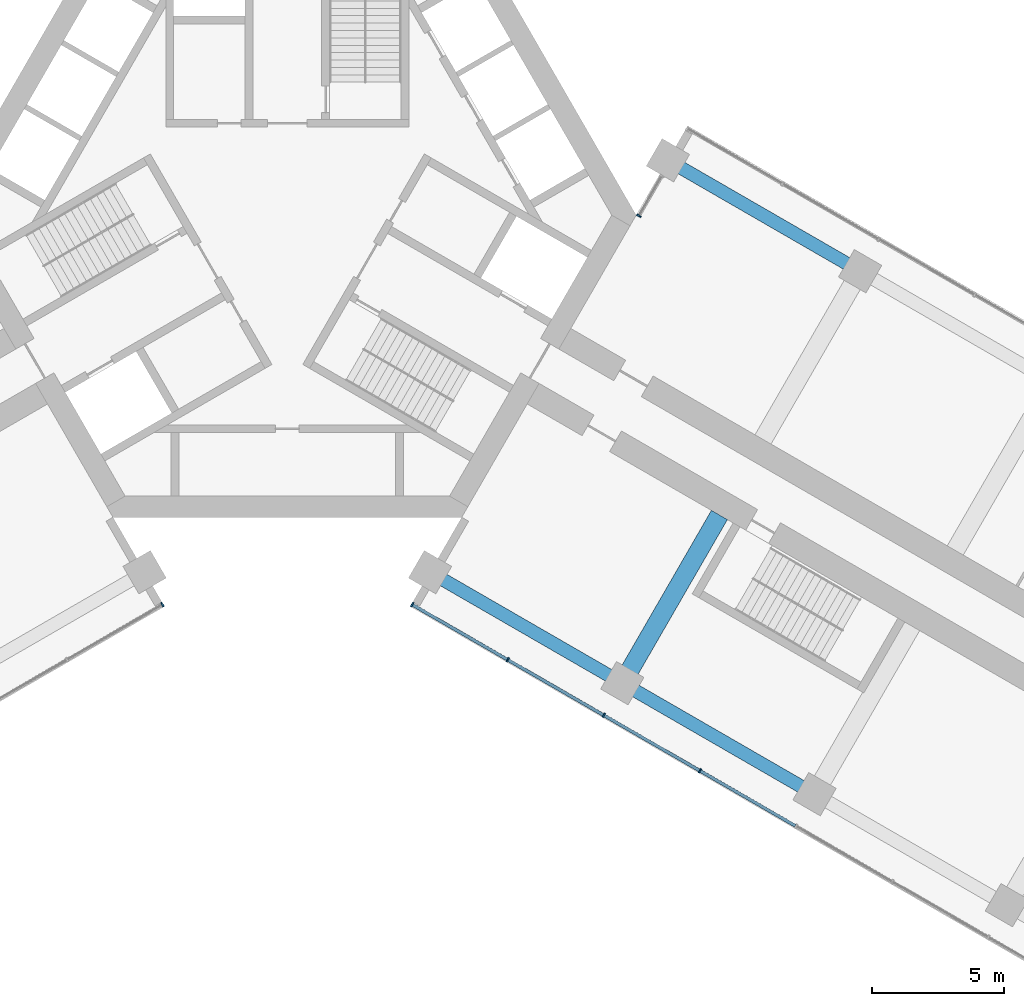
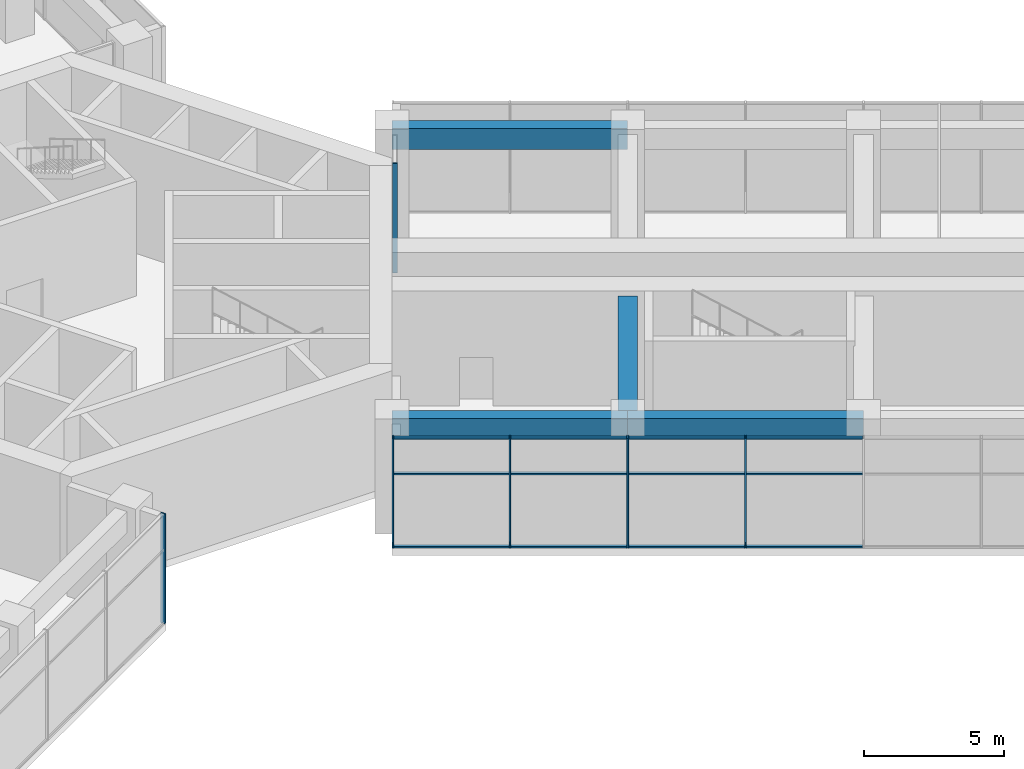
# One storey, part 5 of 20: 18 members, 4 beams, 3 elements without a shape of their own.
"""IFC4 building model written with IfcOpenShell, lengths in metres."""

from ifc_helpers import new_model, si_unit, direction, frame, origin, origin_2d, place, context, subcontext, project, spatial, rectangle, extrude, material, material_profile, profile_set, type_object, element, aggregate, save


model = new_model("IFC4")

# Units and contexts
model_context = context("Model", 3, precision=1e-05, world=origin(), true_north=direction((0.0, 1.0)))
body_context = subcontext(model_context, "Body", "Model", "MODEL_VIEW")
ifc_project = project(units=[si_unit("LENGTHUNIT", "METRE"), si_unit("AREAUNIT", "SQUARE_METRE"), si_unit("VOLUMEUNIT", "CUBIC_METRE"), si_unit("PLANEANGLEUNIT", "RADIAN"), si_unit("MASSUNIT", "GRAM", prefix="KILO")], contexts=[model_context])

# Site, building, storey
site_placement = place(None, origin())
site = spatial("IfcSite", under=ifc_project, at=site_placement, CompositionType="ELEMENT")
building_placement = place(site_placement, origin())
building = spatial("IfcBuilding", under=site, at=building_placement, Name="Impinga Residences", CompositionType="ELEMENT")
storey_placement = place(building_placement, frame((0.0, 0.0, 101.0)))
storey = spatial("IfcBuildingStorey", under=building, at=storey_placement, Name="L24", CompositionType="ELEMENT", Elevation=101.0)

# Beam
ifc_material_1 = material(Name="Concrete C60/75", Category="concrete")
ifc_material_profile_1 = material_profile(ifc_material_1, rectangle(XDim=0.699951171875, YDim=1.050048828125, at=origin_2d()), Name="RC 700x1050")
ifc_profile_set_1 = profile_set([ifc_material_profile_1], Name="Concrete C60/75")
beam_type_1 = type_object("IfcBeamType", Name="CG1 700x1050 cross girder on a wing bay line", PredefinedType="BEAM", material=ifc_profile_set_1)
beam_placement = place(storey_placement, frame((16.349609375, -11.3447265625, 4.2548828125), z_axis=(-0.500008066151, -0.86602074674, 0.0), x_axis=(0.86602074674, -0.500008066151, 0.0)))
element("IfcBeam", 1, at=beam_placement, inside=storey, type_object=beam_type_1, Name="Beam CG1 E2 EC/EF level L25", PredefinedType="BEAM", context=body_context, shape_type="SweptSolid", body=[
    extrude(rectangle(XDim=0.699951171875, YDim=1.050048828125, at=origin_2d()), origin(), (0.0, 0.0, 1.0), 7.35009765625),
])

# Curtain wall, member
ifc_material_2 = material(Name="Aluminium stick curtain wall", Category="aluminium")
curtain_wall_type = type_object("IfcCurtainWallType", Name="CW2 sky amenity curtain wall", PredefinedType="USERDEFINED", material=ifc_material_2)
curtain_wall_1_placement = place(storey_placement, origin())
curtain_wall_1 = element("IfcCurtainWall", 2, at=curtain_wall_1_placement, inside=storey, type_object=curtain_wall_type, Name="Curtain wall CW2 L24", ObjectType="STICK CURTAIN WALL", PredefinedType="USERDEFINED")
ifc_material_3 = material(Name="Aluminium mullion", Category="aluminium")
ifc_material_profile_2 = material_profile(ifc_material_3, rectangle(XDim=0.06005859375, YDim=0.179931640625, at=origin_2d()), Name="60x180 mullion")
ifc_profile_set_2 = profile_set([ifc_material_profile_2], Name="Aluminium mullion")
member_type_1 = type_object("IfcMemberType", Name="CW2-M mullion 60x180", PredefinedType="MULLION", material=ifc_profile_set_2)
member_1_placement = place(storey_placement, frame((13.301513671875, -0.02392578125, 0.0), z_axis=(0.0, 0.0, 1.0), x_axis=(0.499999915809, 0.866025452392, 0.0)))
member_1 = element("IfcMember", 3, at=member_1_placement, type_object=member_type_1, Name="CW2 mullion 1", PredefinedType="MULLION", context=body_context, shape_type="SweptSolid", body=[
    extrude(rectangle(XDim=0.06005859375, YDim=0.179931640625, at=origin_2d()), origin(), (0.0, 0.0, 1.0), 4.780029296875),
])
aggregate(curtain_wall_1, [member_1])

# Curtain wall, members
curtain_wall_2_placement = place(storey_placement, origin())
curtain_wall_2 = element("IfcCurtainWall", 4, at=curtain_wall_2_placement, inside=storey, type_object=curtain_wall_type, Name="Curtain wall CW2 L24", ObjectType="STICK CURTAIN WALL", PredefinedType="USERDEFINED")
member_2_placement = place(storey_placement, frame((15.61181640625, -21.0224609375, 0.0), z_axis=(0.0, 0.0, 1.0), x_axis=(-0.866025407005, 0.499999994423, 0.0)))
member_2 = element("IfcMember", 5, at=member_2_placement, type_object=member_type_1, Name="CW2 mullion 6", PredefinedType="MULLION", context=body_context, shape_type="SweptSolid", body=[
    extrude(rectangle(XDim=0.06005859375, YDim=0.179931640625, at=origin_2d()), origin(), (0.0, 0.0, 1.0), 4.780029296875),
])
member_3_placement = place(storey_placement, frame((11.974609375, -18.92236328125, 0.0), z_axis=(0.0, 0.0, 1.0), x_axis=(-0.866025407005, 0.499999994423, 0.0)))
member_3 = element("IfcMember", 6, at=member_3_placement, type_object=member_type_1, Name="CW2 mullion 7", PredefinedType="MULLION", context=body_context, shape_type="SweptSolid", body=[
    extrude(rectangle(XDim=0.06005859375, YDim=0.179931640625, at=origin_2d()), origin(), (0.0, 0.0, 1.0), 4.780029296875),
])
member_4_placement = place(storey_placement, frame((8.33740234375, -16.822509765625, 0.0), z_axis=(0.0, 0.0, 1.0), x_axis=(-0.866025407005, 0.499999994423, 0.0)))
member_4 = element("IfcMember", 7, at=member_4_placement, type_object=member_type_1, Name="CW2 mullion 8", PredefinedType="MULLION", context=body_context, shape_type="SweptSolid", body=[
    extrude(rectangle(XDim=0.06005859375, YDim=0.179931640625, at=origin_2d()), origin(), (0.0, 0.0, 1.0), 4.780029296875),
])
member_5_placement = place(storey_placement, frame((4.72607421875, -14.737548828125, 0.0), z_axis=(0.0, 0.0, 1.0), x_axis=(-0.866025407005, 0.499999994423, 0.0)))
member_5 = element("IfcMember", 8, at=member_5_placement, type_object=member_type_1, Name="CW2 mullion 9", PredefinedType="MULLION", context=body_context, shape_type="SweptSolid", body=[
    extrude(rectangle(XDim=0.06005859375, YDim=0.179931640625, at=origin_2d()), origin(), (0.0, 0.0, 1.0), 4.780029296875),
])

# Curtain wall, member
curtain_wall_3_placement = place(storey_placement, origin())
curtain_wall_3 = element("IfcCurtainWall", 9, at=curtain_wall_3_placement, inside=storey, type_object=curtain_wall_type, Name="Curtain wall CW2 L24", ObjectType="STICK CURTAIN WALL", PredefinedType="USERDEFINED")
member_6_placement = place(storey_placement, frame((-4.72607421875, -14.737548828125, 0.0), z_axis=(0.0, 0.0, 1.0), x_axis=(-0.866025407005, -0.499999994423, 0.0)))
member_6 = element("IfcMember", 10, at=member_6_placement, type_object=member_type_1, Name="CW2 mullion 1", PredefinedType="MULLION", context=body_context, shape_type="SweptSolid", body=[
    extrude(rectangle(XDim=0.06005859375, YDim=0.179931640625, at=origin_2d()), origin(), (0.0, 0.0, 1.0), 4.780029296875),
])
aggregate(curtain_wall_3, [member_6])

# Member
ifc_material_4 = material(Name="Aluminium transom", Category="aluminium")
ifc_material_profile_3 = material_profile(ifc_material_4, rectangle(XDim=0.06005859375, YDim=0.1201171875, at=origin_2d()), Name="60x120 transom")
ifc_profile_set_3 = profile_set([ifc_material_profile_3], Name="Aluminium transom")
member_type_2 = type_object("IfcMemberType", Name="CW2-T transom 60x120", PredefinedType="USERDEFINED", material=ifc_profile_set_3)
member_7_placement = place(storey_placement, frame((19.22314453125, -23.107421875, 0.030029296875), z_axis=(-0.866009793405, 0.500027036996, 0.0), x_axis=(0.0, 0.0, 1.0)))
member_7 = element("IfcMember", 11, at=member_7_placement, type_object=member_type_2, Name="CW2 transom 5.1", ObjectType="TRANSOM", PredefinedType="USERDEFINED", context=body_context, shape_type="SweptSolid", body=[
    extrude(rectangle(XDim=0.06005859375, YDim=0.1201171875, at=origin_2d()), origin(), (0.0, 0.0, 1.0), 4.139892578125),
])

member_8_placement = place(storey_placement, frame((19.22314453125, -23.107421875, 3.199951171875), z_axis=(-0.866009793405, 0.500027036996, 0.0), x_axis=(0.0, 0.0, 1.0)))
member_8 = element("IfcMember", 12, at=member_8_placement, type_object=member_type_2, Name="CW2 transom 5.2", ObjectType="TRANSOM", PredefinedType="USERDEFINED", context=body_context, shape_type="SweptSolid", body=[
    extrude(rectangle(XDim=0.06005859375, YDim=0.1201171875, at=origin_2d()), origin(), (0.0, 0.0, 1.0), 4.139892578125),
])

member_9_placement = place(storey_placement, frame((19.22314453125, -23.107421875, 4.75), z_axis=(-0.866009793405, 0.500027036996, 0.0), x_axis=(0.0, 0.0, 1.0)))
member_9 = element("IfcMember", 13, at=member_9_placement, type_object=member_type_2, Name="CW2 transom 5.3", ObjectType="TRANSOM", PredefinedType="USERDEFINED", context=body_context, shape_type="SweptSolid", body=[
    extrude(rectangle(XDim=0.06005859375, YDim=0.1201171875, at=origin_2d()), origin(), (0.0, 0.0, 1.0), 4.139892578125),
])

member_10_placement = place(storey_placement, frame((15.5859375, -21.00732421875, 0.030029296875), z_axis=(-0.866050071143, 0.499957272447, 0.0), x_axis=(0.0, 0.0, 1.0)))
member_10 = element("IfcMember", 14, at=member_10_placement, type_object=member_type_2, Name="CW2 transom 6.1", ObjectType="TRANSOM", PredefinedType="USERDEFINED", context=body_context, shape_type="SweptSolid", body=[
    extrude(rectangle(XDim=0.06005859375, YDim=0.1201171875, at=origin_2d()), origin(), (0.0, 0.0, 1.0), 4.139892578125),
])

member_11_placement = place(storey_placement, frame((15.5859375, -21.00732421875, 3.199951171875), z_axis=(-0.866050071143, 0.499957272447, 0.0), x_axis=(0.0, 0.0, 1.0)))
member_11 = element("IfcMember", 15, at=member_11_placement, type_object=member_type_2, Name="CW2 transom 6.2", ObjectType="TRANSOM", PredefinedType="USERDEFINED", context=body_context, shape_type="SweptSolid", body=[
    extrude(rectangle(XDim=0.06005859375, YDim=0.1201171875, at=origin_2d()), origin(), (0.0, 0.0, 1.0), 4.139892578125),
])

member_12_placement = place(storey_placement, frame((15.5859375, -21.00732421875, 4.75), z_axis=(-0.866050071143, 0.499957272447, 0.0), x_axis=(0.0, 0.0, 1.0)))
member_12 = element("IfcMember", 16, at=member_12_placement, type_object=member_type_2, Name="CW2 transom 6.3", ObjectType="TRANSOM", PredefinedType="USERDEFINED", context=body_context, shape_type="SweptSolid", body=[
    extrude(rectangle(XDim=0.06005859375, YDim=0.1201171875, at=origin_2d()), origin(), (0.0, 0.0, 1.0), 4.139892578125),
])

member_13_placement = place(storey_placement, frame((11.94873046875, -18.907470703125, 0.030029296875), z_axis=(-0.866024536972, 0.500001501361, 0.0), x_axis=(0.0, 0.0, 1.0)))
member_13 = element("IfcMember", 17, at=member_13_placement, type_object=member_type_2, Name="CW2 transom 7.1", ObjectType="TRANSOM", PredefinedType="USERDEFINED", context=body_context, shape_type="SweptSolid", body=[
    extrude(rectangle(XDim=0.06005859375, YDim=0.1201171875, at=origin_2d()), origin(), (0.0, 0.0, 1.0), 4.14013671875),
])

member_14_placement = place(storey_placement, frame((11.94873046875, -18.907470703125, 3.199951171875), z_axis=(-0.866024536972, 0.500001501361, 0.0), x_axis=(0.0, 0.0, 1.0)))
member_14 = element("IfcMember", 18, at=member_14_placement, type_object=member_type_2, Name="CW2 transom 7.2", ObjectType="TRANSOM", PredefinedType="USERDEFINED", context=body_context, shape_type="SweptSolid", body=[
    extrude(rectangle(XDim=0.06005859375, YDim=0.1201171875, at=origin_2d()), origin(), (0.0, 0.0, 1.0), 4.14013671875),
])

member_15_placement = place(storey_placement, frame((11.94873046875, -18.907470703125, 4.75), z_axis=(-0.866024536972, 0.500001501361, 0.0), x_axis=(0.0, 0.0, 1.0)))
member_15 = element("IfcMember", 19, at=member_15_placement, type_object=member_type_2, Name="CW2 transom 7.3", ObjectType="TRANSOM", PredefinedType="USERDEFINED", context=body_context, shape_type="SweptSolid", body=[
    extrude(rectangle(XDim=0.06005859375, YDim=0.1201171875, at=origin_2d()), origin(), (0.0, 0.0, 1.0), 4.14013671875),
])

member_16_placement = place(storey_placement, frame((8.311279296875, -16.807373046875, 0.030029296875), z_axis=(-0.866030279993, 0.499991554064, 0.0), x_axis=(0.0, 0.0, 1.0)))
member_16 = element("IfcMember", 20, at=member_16_placement, type_object=member_type_2, Name="CW2 transom 8.1", ObjectType="TRANSOM", PredefinedType="USERDEFINED", context=body_context, shape_type="SweptSolid", body=[
    extrude(rectangle(XDim=0.06005859375, YDim=0.1201171875, at=origin_2d()), origin(), (0.0, 0.0, 1.0), 4.10986328125),
])

member_17_placement = place(storey_placement, frame((8.311279296875, -16.807373046875, 3.199951171875), z_axis=(-0.866030279993, 0.499991554064, 0.0), x_axis=(0.0, 0.0, 1.0)))
member_17 = element("IfcMember", 21, at=member_17_placement, type_object=member_type_2, Name="CW2 transom 8.2", ObjectType="TRANSOM", PredefinedType="USERDEFINED", context=body_context, shape_type="SweptSolid", body=[
    extrude(rectangle(XDim=0.06005859375, YDim=0.1201171875, at=origin_2d()), origin(), (0.0, 0.0, 1.0), 4.10986328125),
])

member_18_placement = place(storey_placement, frame((8.311279296875, -16.807373046875, 4.75), z_axis=(-0.866030279993, 0.499991554064, 0.0), x_axis=(0.0, 0.0, 1.0)))
member_18 = element("IfcMember", 22, at=member_18_placement, type_object=member_type_2, Name="CW2 transom 8.3", ObjectType="TRANSOM", PredefinedType="USERDEFINED", context=body_context, shape_type="SweptSolid", body=[
    extrude(rectangle(XDim=0.06005859375, YDim=0.1201171875, at=origin_2d()), origin(), (0.0, 0.0, 1.0), 4.10986328125),
])

aggregate(curtain_wall_2, [member_2, member_3, member_4, member_5, member_7, member_8, member_9, member_10, member_11, member_12, member_13, member_14, member_15, member_16, member_17, member_18])

# Beams
ifc_material_profile_4 = material_profile(ifc_material_1, rectangle(XDim=0.5, YDim=0.89990234375, at=origin_2d()), Name="RC 500x900")
ifc_profile_set_4 = profile_set([ifc_material_profile_4], Name="Concrete C60/75")
beam_type_2 = type_object("IfcBeamType", Name="SB1 500x900 perimeter spandrel beam", PredefinedType="SPANDREL", material=ifc_profile_set_4)
for number, where, z_axis, x_axis, name in (
    (23, (14.39990234375, 2.078369140625, 4.330078125), (0.86602925447, -0.499993330357, 0.0), (0.499993330357, 0.86602925447, 0.0), "Beam SB1 EA E1-E2 level L25"),
    (24, (5.39990234375, -13.510009765625, 4.330078125), (0.86602925447, -0.499993330357, 0.0), (0.499993330357, 0.86602925447, 0.0), "Beam SB1 EF E1-E2 level L25"),
    (25, (12.674560546875, -17.7099609375, 4.330078125), (0.86602925447, -0.499993330357, 0.0), (0.499993330357, 0.86602925447, 0.0), "Beam SB1 EF E2-E3 level L25"),
):
    element("IfcBeam", number, at=place(storey_placement, frame(where, z_axis=z_axis, x_axis=x_axis)), inside=storey, type_object=beam_type_2, Name=name, PredefinedType="SPANDREL", context=body_context, shape_type="SweptSolid", body=[
        extrude(rectangle(XDim=0.5, YDim=0.89990234375, at=origin_2d()), origin(), (0.0, 0.0, 1.0), 8.39990234375),
    ])

save(model, "model.ifc")
